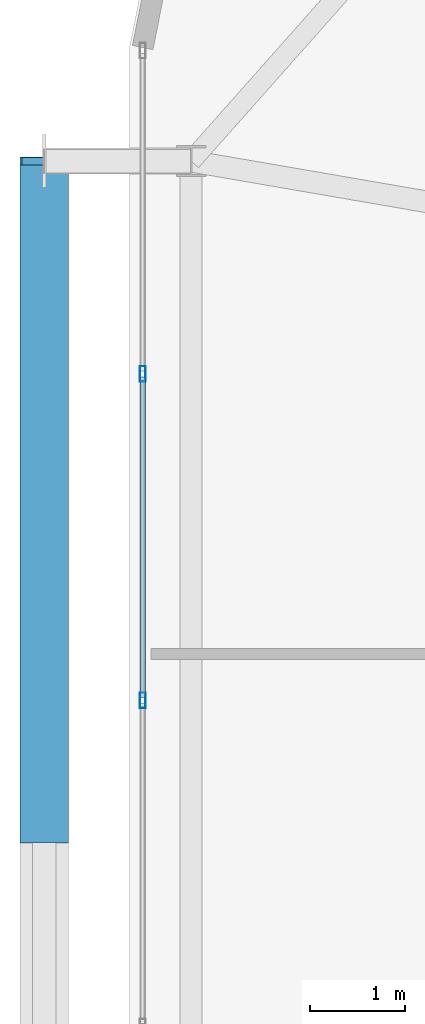
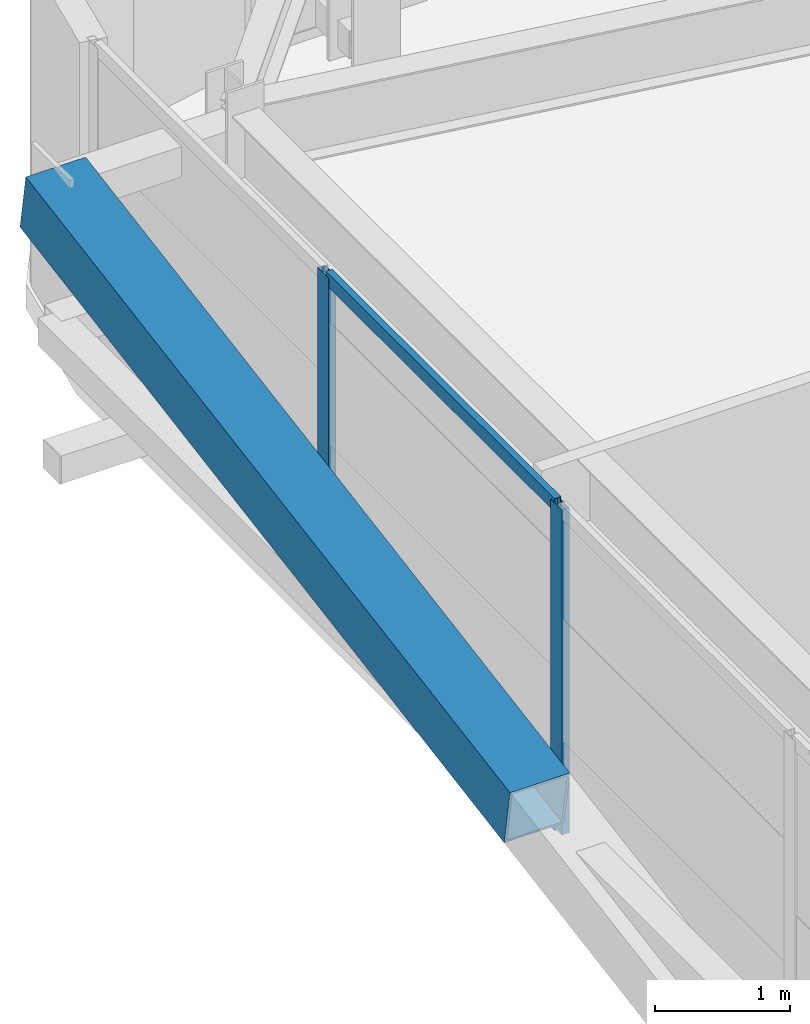
# One storey, part 18 of 59: 5 members, 1 element without a shape of its own.
"""IFC4 building model written with IfcOpenShell, lengths in metres."""

from ifc_helpers import new_model, si_unit, direction, frame, origin, origin_2d, place, context, subcontext, project, spatial, hollow_rectangle, extrude, source, transform, mapped, material, layer, layer_set, material_profile, profile_set, type_object, element, aggregate, save


model = new_model("IFC4")

# Units and contexts
model_context = context("Model", 3, precision=1e-05, world=origin(), true_north=direction((0.0, 1.0)))
body_context = subcontext(model_context, "Body", "Model", "MODEL_VIEW")
ifc_project = project(units=[si_unit("LENGTHUNIT", "METRE"), si_unit("AREAUNIT", "SQUARE_METRE"), si_unit("VOLUMEUNIT", "CUBIC_METRE"), si_unit("PLANEANGLEUNIT", "RADIAN"), si_unit("MASSUNIT", "GRAM", prefix="KILO")], contexts=[model_context])

# Site, building, storey
site_placement = place(None, origin())
site = spatial("IfcSite", under=ifc_project, at=site_placement, CompositionType="ELEMENT")
building_placement = place(site_placement, origin())
building = spatial("IfcBuilding", under=site, at=building_placement, Name="Taldren Reach Tower", CompositionType="ELEMENT")
storey_placement = place(building_placement, frame((0.0, 0.0, 45.14990234375)))
storey = spatial("IfcBuildingStorey", under=building, at=storey_placement, Name="L13", CompositionType="ELEMENT", Elevation=45.14990234375)

# Member
ifc_material_1 = material(Name="Steel Gr 450 (C450L0)", Category="steel")
ifc_material_profile_1 = material_profile(ifc_material_1, hollow_rectangle(XDim=0.510009765625, YDim=0.510009765625, WallThickness=0.02001953125, at=origin_2d()), Name="510x510x20.0SHS")
ifc_profile_set_1 = profile_set([ifc_material_profile_1], Name="Steel Gr 450 (C450L0)")
member_type_1 = type_object("IfcMemberType", Name="MB-EXO508", PredefinedType="BRACE", material=ifc_profile_set_1)
shared_shape_1 = source(origin(), body_context, "Body", "SweptSolid", [
    extrude(hollow_rectangle(XDim=0.510009765625, YDim=0.510009765625, WallThickness=0.02001953125, at=origin_2d()), origin(), (0.0, 0.0, 1.0), 7.252685546875),
])
member_1_placement = place(storey_placement, frame((4.10009765625, 27.14990234375, 1.43505859375), z_axis=(0.0, 0.985865800628, 0.167536930711), x_axis=(-1.0, 0.0, 0.0)))
element("IfcMember", 1, at=member_1_placement, inside=storey, type_object=member_type_1, Name="Exoskeleton Diagrid Brace B1-W2 L13", PredefinedType="BRACE", context=body_context, shape_type="MappedRepresentation", body=[
    mapped(shared_shape_1, transform((0.0, 0.0, 0.0), scale=1.0)),
])

# Curtain wall, members
ifc_material_2 = material(Name="Aluminium and Low-E Glass Unitised System", Category="aluminium")
ifc_layer = layer(ifc_material_2, 0.159912109375)
ifc_layer_set = layer_set([ifc_layer], Name="Aluminium and Low-E Glass Unitised System")
curtain_wall_type = type_object("IfcCurtainWallType", Name="CW-SYS-2", PredefinedType="NOTDEFINED", material=ifc_layer_set)
curtain_wall_placement = place(storey_placement, origin())
curtain_wall = element("IfcCurtainWall", 2, at=curtain_wall_placement, inside=storey, type_object=curtain_wall_type, Name="Unitised curtain wall CW-L13-W", PredefinedType="NOTDEFINED")
ifc_material_3 = material(Name="Anodised Aluminium 6063-T6", Category="aluminium")
ifc_material_profile_2 = material_profile(ifc_material_3, hollow_rectangle(XDim=0.054931640625, YDim=0.1201171875, WallThickness=0.0029296875, at=origin_2d()), Name="ALU-120x55x3RHS")
ifc_profile_set_2 = profile_set([ifc_material_profile_2], Name="Anodised Aluminium 6063-T6")
member_type_2 = type_object("IfcMemberType", Name="CW-TRN-135", PredefinedType="USERDEFINED", material=ifc_profile_set_2)
shared_shape_2 = source(origin(), body_context, "Body", "SweptSolid", [
    extrude(hollow_rectangle(XDim=0.054931640625, YDim=0.1201171875, WallThickness=0.0029296875, at=origin_2d()), origin(), (0.0, 0.0, 1.0), 3.37939453125),
])
member_2_placement = place(storey_placement, frame((5.139892578125, 32.02294921875, 0.027587890625), z_axis=(0.0, -1.0, 0.0), x_axis=(1.0, 0.0, 0.0)))
member_2 = element("IfcMember", 3, at=member_2_placement, type_object=member_type_2, Name="CW-2 transom 2.1", ObjectType="TRANSOM", PredefinedType="USERDEFINED", context=body_context, shape_type="MappedRepresentation", body=[
    mapped(shared_shape_2, transform((0.0, 0.0, 0.0), scale=1.0)),
])
member_3_placement = place(storey_placement, frame((5.139892578125, 32.02294921875, 2.902587890625), z_axis=(0.0, -1.0, 0.0), x_axis=(1.0, 0.0, 0.0)))
member_3 = element("IfcMember", 4, at=member_3_placement, type_object=member_type_2, Name="CW-2 transom 2.2", ObjectType="TRANSOM", PredefinedType="USERDEFINED", context=body_context, shape_type="MappedRepresentation", body=[
    mapped(shared_shape_2, transform((0.0, 0.0, 0.0), scale=1.0)),
])
ifc_material_profile_3 = material_profile(ifc_material_3, hollow_rectangle(XDim=0.06494140625, YDim=0.1650390625, WallThickness=0.00390625, at=origin_2d()), Name="ALU-165x65x4RHS")
ifc_profile_set_3 = profile_set([ifc_material_profile_3], Name="Anodised Aluminium 6063-T6")
member_type_3 = type_object("IfcMemberType", Name="CW-MUL-165", PredefinedType="MULLION", material=ifc_profile_set_3)
shared_shape_3 = source(origin(), body_context, "Body", "SweptSolid", [
    extrude(hollow_rectangle(XDim=0.06494140625, YDim=0.1650390625, WallThickness=0.00390625, at=origin_2d()), origin(), (0.0, 0.0, 1.0), 2.93017578125),
])
member_4_placement = place(storey_placement, frame((5.139892578125, 32.0556640625, 0.0), z_axis=(0.0, 0.0, 1.0), x_axis=(1.0, 0.0, 0.0)))
member_4 = element("IfcMember", 5, at=member_4_placement, type_object=member_type_3, Name="CW-2 mullion 2", PredefinedType="MULLION", context=body_context, shape_type="MappedRepresentation", body=[
    mapped(shared_shape_3, transform((0.0, 0.0, 0.0), scale=1.0)),
])
member_5_placement = place(storey_placement, frame((5.139892578125, 28.611083984375, 0.0), z_axis=(0.0, 0.0, 1.0), x_axis=(1.0, 0.0, 0.0)))
member_5 = element("IfcMember", 6, at=member_5_placement, type_object=member_type_3, Name="CW-2 mullion 3", PredefinedType="MULLION", context=body_context, shape_type="MappedRepresentation", body=[
    mapped(shared_shape_3, transform((0.0, 0.0, 0.0), scale=1.0)),
])
aggregate(curtain_wall, [member_4, member_5, member_2, member_3])

save(model, "model.ifc")
